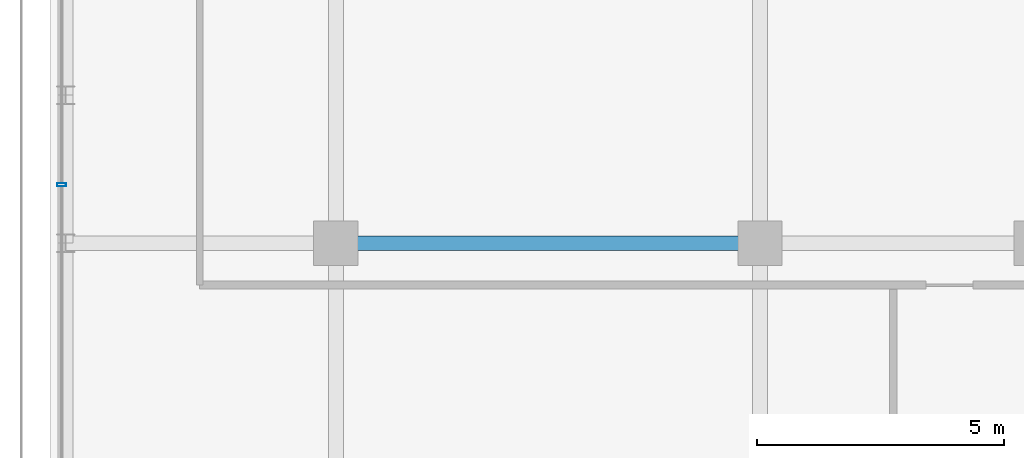
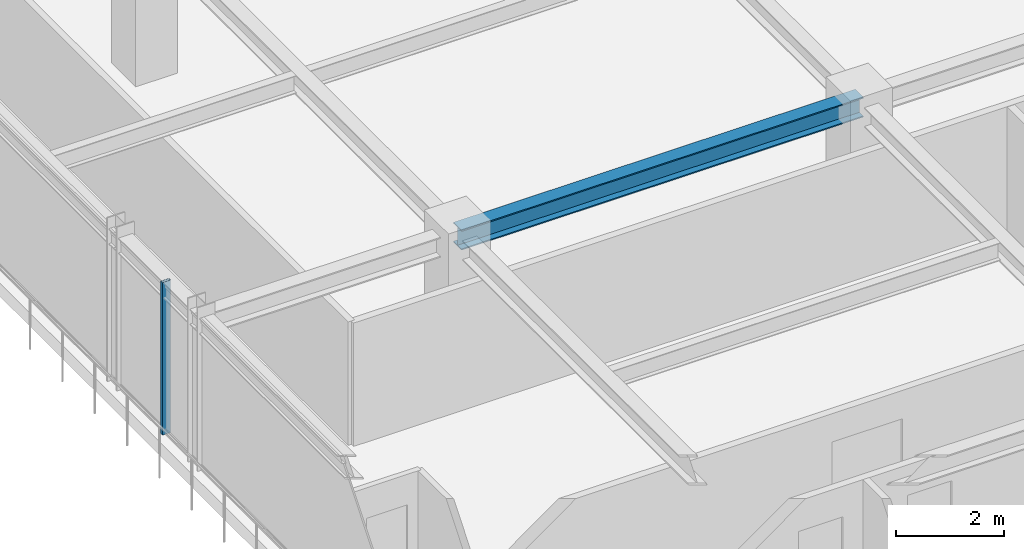
# One storey, part 10 of 32: 1 beam, 1 member, 1 element without a shape of its own.
"""IFC4 building model written with IfcOpenShell, lengths in metres."""

import ifcopenshell
import ifcopenshell.guid

model = None  # the IFC model being written
_history = None  # IfcOwnerHistory: only IFC2X3 demands one
_inside = {}  # id of a spatial element -> (the spatial element, [elements in it])
_under = {}  # id of a project, library or spatial element -> (it, [spatial elements below it])
_declared = {}  # id of a project -> (the project, [libraries it declares])
_typed = {}  # id of a type object -> (the type object, [elements of that type])
_made_of = {}  # id of a material, layer set ... -> (it, [elements and type objects made of it])


def new_model(schema):
    """Start an empty IFC model of exactly this schema.

    Asked for "IFC4X3", IfcOpenShell would pick the latest addendum, in which some entities
    have other attributes; the version numbers below select the first issue.
    IFC2X3 requires an IfcOwnerHistory on every rooted entity: one is made here for all.
    """
    global model, _history
    if schema == "IFC4X3":
        model = ifcopenshell.file(schema_version=(4, 3, 0, 0))
    else:
        model = ifcopenshell.file(schema=schema)
    _inside.clear()
    _under.clear()
    _declared.clear()
    _typed.clear()
    _made_of.clear()
    _history = None
    if model.schema == "IFC2X3":
        org = make("IfcOrganization", Name="unknown")
        user = make(
            "IfcPersonAndOrganization",
            ThePerson=make("IfcPerson", FamilyName="unknown"),
            TheOrganization=org,
        )
        app = make(
            "IfcApplication",
            ApplicationDeveloper=org,
            Version="unknown",
            ApplicationFullName="unknown",
            ApplicationIdentifier="unknown",
        )
        _history = make(
            "IfcOwnerHistory",
            OwningUser=user,
            OwningApplication=app,
            ChangeAction="ADDED",
            CreationDate=0,
        )
    return model


def make(cls, **values):
    """One entity of the class cls with the attributes given. An attribute that is None is left unset."""
    return model.create_entity(
        cls, **{name: value for name, value in values.items() if value is not None}
    )


def rooted(cls, **values):
    """An entity with a GlobalId (a new one), such as an element, a storey or a relation."""
    return make(cls, GlobalId=ifcopenshell.guid.new(), OwnerHistory=_history, **values)


def si_unit(unit_type, name, prefix=None):
    """IfcSIUnit, for example si_unit("LENGTHUNIT", "METRE", prefix="MILLI")."""
    return make("IfcSIUnit", UnitType=unit_type, Prefix=prefix, Name=name)


def assignment(units):
    """IfcUnitAssignment: the units of a project."""
    return None if units is None else make("IfcUnitAssignment", Units=units)


def point(xyz):
    """IfcCartesianPoint."""
    return None if xyz is None else make("IfcCartesianPoint", Coordinates=xyz)


def direction(xyz):
    """IfcDirection."""
    return None if xyz is None else make("IfcDirection", DirectionRatios=xyz)


def frame(location, z_axis=None, x_axis=None):
    """IfcAxis2Placement3D, a coordinate frame: its origin and axes. An axis left out is left unset."""
    return make(
        "IfcAxis2Placement3D",
        Location=point(location),
        Axis=direction(z_axis),
        RefDirection=direction(x_axis),
    )


def frame_2d(location, x_axis=None):
    """IfcAxis2Placement2D, a coordinate frame in the plane: its origin and x axis."""
    return make(
        "IfcAxis2Placement2D", Location=point(location), RefDirection=direction(x_axis)
    )


def origin():
    """The frame at (0, 0, 0) with its axes left unset."""
    return frame((0.0, 0.0, 0.0))


def origin_2d():
    """The frame at (0, 0) in the plane with its x axis left unset."""
    return frame_2d((0.0, 0.0))


def place(relative_to, where):
    """IfcLocalPlacement: puts the frame where relative to a parent placement (None: the world)."""
    return make(
        "IfcLocalPlacement", PlacementRelTo=relative_to, RelativePlacement=where
    )


def context(
    kind, dimensions, precision=None, world=None, true_north=None, identifier=None
):
    """IfcGeometricRepresentationContext, for example the 3D "Model" context."""
    return make(
        "IfcGeometricRepresentationContext",
        ContextIdentifier=identifier,
        ContextType=kind,
        CoordinateSpaceDimension=dimensions,
        Precision=precision,
        WorldCoordinateSystem=world,
        TrueNorth=true_north,
    )


def subcontext(parent, identifier, kind, view, scale=None):
    """IfcGeometricRepresentationSubContext, for example "Body" below "Model"."""
    return make(
        "IfcGeometricRepresentationSubContext",
        ContextIdentifier=identifier,
        ContextType=kind,
        ParentContext=parent,
        TargetScale=scale,
        TargetView=view,
    )


def project(units=None, contexts=None):
    """IfcProject with its units and contexts."""
    return rooted(
        "IfcProject",
        Name="project",
        RepresentationContexts=contexts,
        UnitsInContext=assignment(units),
    )


def spatial(cls, under=None, at=None, **own):
    """A site, building, storey or space (cls), placed at a placement, below another one or the project."""
    s = rooted(cls, ObjectPlacement=at, **own)
    if under is not None:
        _under.setdefault(under.id(), (under, []))[1].append(s)
    return s


def profile(cls, at=None, kind="AREA", **sizes):
    """A parametric profile (cls). Its sizes go by their IFC names, for example OverallWidth=200.0."""
    return make(cls, ProfileType=kind, Position=at, **sizes)


def hollow_rectangle(**sizes):
    """IfcRectangleHollowProfileDef."""
    return profile("IfcRectangleHollowProfileDef", **sizes)


def i_section(**sizes):
    """IfcIShapeProfileDef."""
    return profile("IfcIShapeProfileDef", **sizes)


def extrude(swept, where, along, depth):
    """IfcExtrudedAreaSolid: the profile swept, set in the frame where, extruded along a direction by depth."""
    return make(
        "IfcExtrudedAreaSolid",
        SweptArea=swept,
        Position=where,
        ExtrudedDirection=direction(along),
        Depth=depth,
    )


def shape(context_of_items, identifier, shape_type, items):
    """IfcShapeRepresentation: the items that make up one representation, for example the "Body"."""
    return make(
        "IfcShapeRepresentation",
        ContextOfItems=context_of_items,
        RepresentationIdentifier=identifier,
        RepresentationType=shape_type,
        Items=items,
    )


def source(mapping_origin, context_of_items, identifier, shape_type, items):
    """IfcRepresentationMap: a shape defined once, which mapped items show again and again."""
    return make(
        "IfcRepresentationMap",
        MappingOrigin=mapping_origin,
        MappedRepresentation=shape(context_of_items, identifier, shape_type, items),
    )


def transform(
    local_origin,
    x_axis=None,
    y_axis=None,
    z_axis=None,
    scale=None,
    scale2=None,
    scale3=None,
    uniform=True,
):
    """IfcCartesianTransformationOperator3D, or its non-uniform kind. x_axis, y_axis, z_axis: its Axis1, 2, 3."""
    if uniform:
        return make(
            "IfcCartesianTransformationOperator3D",
            Axis1=direction(x_axis),
            Axis2=direction(y_axis),
            LocalOrigin=point(local_origin),
            Scale=scale,
            Axis3=direction(z_axis),
        )
    return make(
        "IfcCartesianTransformationOperator3DnonUniform",
        Axis1=direction(x_axis),
        Axis2=direction(y_axis),
        LocalOrigin=point(local_origin),
        Scale=scale,
        Axis3=direction(z_axis),
        Scale2=scale2,
        Scale3=scale3,
    )


def mapped(mapping_source, mapping_target):
    """IfcMappedItem: shows the shape of a source again, moved by a transform."""
    return make(
        "IfcMappedItem", MappingSource=mapping_source, MappingTarget=mapping_target
    )


def material(Name=None, Category=None):
    """IfcMaterial."""
    return make("IfcMaterial", Name=Name, Category=Category)


def material_profile(
    of_material, cross_section, Name=None, Category=None, Priority=None
):
    """IfcMaterialProfile: a cross section and its material."""
    return make(
        "IfcMaterialProfile",
        Name=Name,
        Material=of_material,
        Profile=cross_section,
        Priority=Priority,
        Category=Category,
    )


def profile_set(profiles, Name=None, composite=None):
    """IfcMaterialProfileSet."""
    return make(
        "IfcMaterialProfileSet",
        Name=Name,
        MaterialProfiles=profiles,
        CompositeProfile=composite,
    )


def made_of(thing, what):
    """Note that an element or type object is made of a material, layer set ...; save() writes the relation."""
    if what is not None:
        _made_of.setdefault(what.id(), (what, []))[1].append(thing)
    return thing


def type_object(cls, material=None, **own):
    """A type object (cls), such as IfcWallType, which elements share."""
    return made_of(rooted(cls, **own), material)


def element(
    cls,
    number,
    at=None,
    inside=None,
    cuts=None,
    type_object=None,
    material=None,
    context=None,
    identifier="Body",
    shape_type=None,
    held_by="IfcProductDefinitionShape",
    body=None,
    shapes=None,
    **own,
):
    """One element of the class cls, such as IfcWall. Its Tag is "e" and its number.

    at: its placement. inside: the storey or other place that contains it. cuts: it is an
    opening in that element (IfcRelVoidsElement). A single representation is given by context,
    identifier, shape_type and body (its items); several are given by shapes. held_by: the class
    of the entity that holds the representations. save() writes the other relations.
    """
    e = rooted(cls, Tag="e%d" % number, ObjectPlacement=at, **own)
    if body is not None:
        shapes = [shape(context, identifier, shape_type, body)]
    if shapes is not None:
        e.Representation = make(held_by, Representations=shapes)
    if inside is not None:
        _inside.setdefault(inside.id(), (inside, []))[1].append(e)
    if cuts is not None:
        rooted(
            "IfcRelVoidsElement", RelatingBuildingElement=cuts, RelatedOpeningElement=e
        )
    if type_object is not None:
        _typed.setdefault(type_object.id(), (type_object, []))[1].append(e)
    return made_of(e, material)


def aggregate(whole, parts):
    """IfcRelAggregates: a whole, such as a stair, and the parts it consists of."""
    return rooted("IfcRelAggregates", RelatingObject=whole, RelatedObjects=parts)


def save(model, path):
    """Write the relations noted so far, then the file.

    IfcRelAggregates (storeys below a building ...), IfcRelContainedInSpatialStructure (elements
    in a storey), IfcRelDefinesByType, IfcRelAssociatesMaterial and IfcRelDeclares: one each for
    every whole, place, type object, material and project.
    """
    for whole, parts in _under.values():
        aggregate(whole, parts)
    for where, things in _inside.values():
        rooted(
            "IfcRelContainedInSpatialStructure",
            RelatedElements=things,
            RelatingStructure=where,
        )
    for kind, things in _typed.values():
        rooted("IfcRelDefinesByType", RelatedObjects=things, RelatingType=kind)
    for what, things in _made_of.values():
        rooted("IfcRelAssociatesMaterial", RelatedObjects=things, RelatingMaterial=what)
    for by, libraries in _declared.values():
        rooted("IfcRelDeclares", RelatingContext=by, RelatedDefinitions=libraries)
    model.write(path)


model = new_model("IFC4")

# Units and contexts
model_context = context("Model", 3, precision=1e-05, world=origin(), true_north=direction((0.0, 1.0)))
body_context = subcontext(model_context, "Body", "Model", "MODEL_VIEW")
ifc_project = project(units=[si_unit("LENGTHUNIT", "METRE"), si_unit("AREAUNIT", "SQUARE_METRE"), si_unit("VOLUMEUNIT", "CUBIC_METRE"), si_unit("PLANEANGLEUNIT", "RADIAN"), si_unit("MASSUNIT", "GRAM", prefix="KILO")], contexts=[model_context])

# Site, building, storey
site_placement = place(None, origin())
site = spatial("IfcSite", under=ifc_project, at=site_placement, CompositionType="ELEMENT")
building_placement = place(site_placement, origin())
building = spatial("IfcBuilding", under=site, at=building_placement, Name="Nahalor Promenade Grand Hotel", CompositionType="ELEMENT")
storey_placement = place(building_placement, frame((0.0, 0.0, 266.300048828125)))
storey = spatial("IfcBuildingStorey", under=building, at=storey_placement, Name="L68", CompositionType="ELEMENT", Elevation=266.300048828125)

# Beam
ifc_material_1 = material(Name="Steel S355JR", Category="steel")
ifc_material_profile_1 = material_profile(ifc_material_1, i_section(OverallWidth=0.3, OverallDepth=0.45, WebThickness=0.014, FlangeThickness=0.026, at=origin_2d()), Name="HEB 450")
ifc_profile_set_1 = profile_set([ifc_material_profile_1], Name="Steel S355JR")
beam_type = type_object("IfcBeamType", Name="Beam-Girder-HEB450", PredefinedType="BEAM", material=ifc_profile_set_1)
shared_shape_1 = source(origin(), body_context, "Body", "SweptSolid", [
    extrude(i_section(OverallWidth=0.3, OverallDepth=0.45, WebThickness=0.014, FlangeThickness=0.026, at=origin_2d()), origin(), (0.0, 0.0, 1.0), 8.60009765625),
])
beam_placement = place(storey_placement, frame((-17.0, 5.39990234375, 3.224853515625), z_axis=(1.0, 0.0, 0.0), x_axis=(0.0, 1.0, 0.0)))
element("IfcBeam", 1, at=beam_placement, inside=storey, type_object=beam_type, Name="BM-L68-GX-2-1", PredefinedType="BEAM", context=body_context, shape_type="MappedRepresentation", body=[
    mapped(shared_shape_1, transform((0.0, 0.0, 0.0), scale=1.0)),
])

# Curtain wall, member
ifc_material_2 = material(Name="Anodised Bronze Aluminium EN AW-6063 T6", Category="aluminium")
curtain_wall_type = type_object("IfcCurtainWallType", Name="CW2 Typical Hotel Flush Bronze Unitised Curtain Wall", PredefinedType="USERDEFINED", material=ifc_material_2)
curtain_wall_placement = place(storey_placement, origin())
curtain_wall = element("IfcCurtainWall", 2, at=curtain_wall_placement, inside=storey, type_object=curtain_wall_type, Name="L68 Curtain Wall CW-L68-W-1", ObjectType="UNITISED_CURTAIN_WALL", PredefinedType="USERDEFINED")
ifc_material_profile_2 = material_profile(ifc_material_2, hollow_rectangle(XDim=0.065, YDim=0.18, WallThickness=0.004, at=origin_2d()), Name="CWM 65x180x4")
ifc_profile_set_2 = profile_set([ifc_material_profile_2], Name="Anodised Bronze Aluminium EN AW-6063 T6")
member_type = type_object("IfcMemberType", Name="CWM2 Typical Bronze Mullion 65x180", PredefinedType="MULLION", material=ifc_profile_set_2)
shared_shape_2 = source(origin(), body_context, "Body", "SweptSolid", [
    extrude(hollow_rectangle(XDim=0.065, YDim=0.18, WallThickness=0.004, at=origin_2d()), origin(), (0.0, 0.0, 1.0), 3.449951171875),
])
member_placement = place(storey_placement, frame((-22.56005859375, 6.586669921875, 0.0), z_axis=(0.0, 0.0, 1.0), x_axis=(0.0, 1.0, 0.0)))
member = element("IfcMember", 3, at=member_placement, type_object=member_type, Name="CW-L68-W-1 Mullion 2", PredefinedType="MULLION", context=body_context, shape_type="MappedRepresentation", body=[
    mapped(shared_shape_2, transform((0.0, 0.0, 0.0), scale=1.0)),
])
aggregate(curtain_wall, [member])

save(model, "model.ifc")
